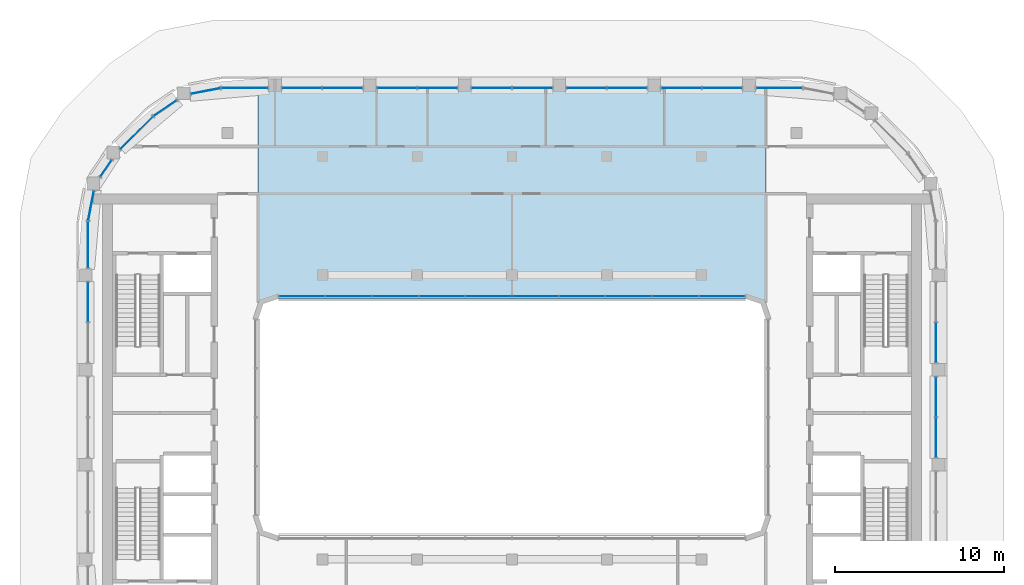
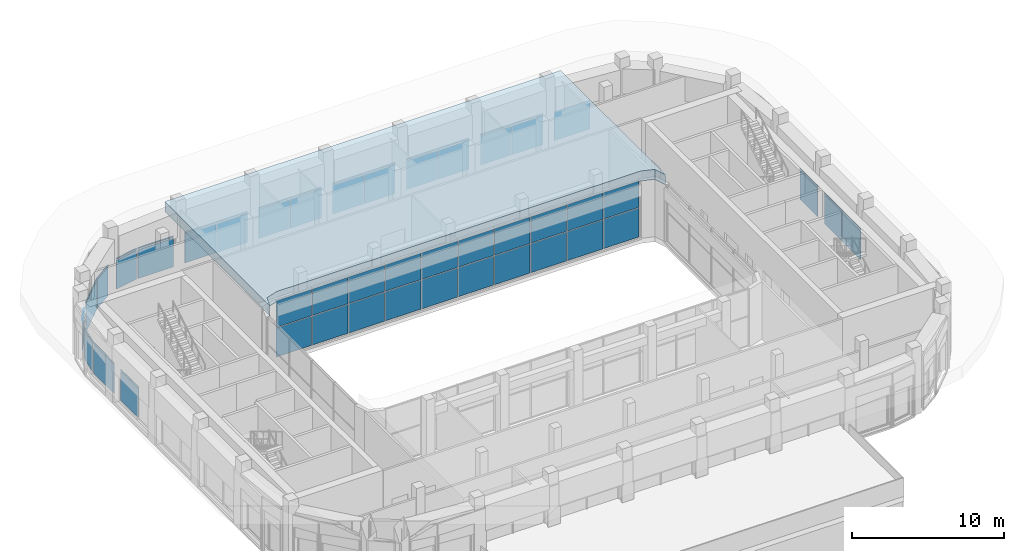
# One storey, part 12 of 23: 63 plates, 1 slab, 17 elements without a shape of their own.
"""IFC4 building model written with IfcOpenShell, lengths in metres."""

from ifc_helpers import new_model, si_unit, direction, frame, origin, origin_2d, place, context, subcontext, project, spatial, polyline, rectangle, outline, extrude, material, layer, layer_set, type_object, element, aggregate, save


model = new_model("IFC4")

# Units and contexts
model_context = context("Model", 3, precision=1e-05, world=origin(), true_north=direction((0.0, 1.0)))
body_context = subcontext(model_context, "Body", "Model", "MODEL_VIEW")
ifc_project = project(units=[si_unit("LENGTHUNIT", "METRE"), si_unit("AREAUNIT", "SQUARE_METRE"), si_unit("VOLUMEUNIT", "CUBIC_METRE"), si_unit("PLANEANGLEUNIT", "RADIAN"), si_unit("MASSUNIT", "GRAM", prefix="KILO")], contexts=[model_context])

# Site, building, storey
site_placement = place(None, origin())
site = spatial("IfcSite", under=ifc_project, at=site_placement, CompositionType="ELEMENT")
building_placement = place(site_placement, origin())
building = spatial("IfcBuilding", under=site, at=building_placement, Name="Kiln Ring Residences", CompositionType="ELEMENT")
storey_placement = place(building_placement, frame((0.0, 0.0, 294.5)))
storey = spatial("IfcBuildingStorey", under=building, at=storey_placement, Name="L76", CompositionType="ELEMENT", Elevation=294.5)

# Curtain wall, plates
ifc_material_1 = material(Name="Aluminium and glass", Category="aluminium")
ifc_layer_1 = layer(ifc_material_1, 0.179931640625)
ifc_layer_set_1 = layer_set([ifc_layer_1], Name="CW3 CURTAIN WALL")
curtain_wall_type_1 = type_object("IfcCurtainWallType", Name="CW3 CURTAIN WALL", PredefinedType="NOTDEFINED", material=ifc_layer_set_1)
placement = place(storey_placement, origin())
curtain_wall_1 = element("IfcCurtainWall", 1, at=placement, inside=storey, type_object=curtain_wall_type_1, Name="Curtain wall CW3 L76", PredefinedType="NOTDEFINED")
ifc_material_2 = material(Name="Glass, clear laminated", Category="glass")
ifc_layer_2 = layer(ifc_material_2, 0.02392578125)
ifc_layer_set_2 = layer_set([ifc_layer_2], Name="CW3 PANEL 24")
plate_type_1 = type_object("IfcPlateType", Name="CW3 PANEL 24", PredefinedType="CURTAIN_PANEL", material=ifc_layer_set_2)
plate_1_placement = place(storey_placement, frame((-12.407470703125, 7.14990234375, 0.0498046875), z_axis=(0.0, 0.0, 1.0), x_axis=(1.0, 0.0, 0.0)))
plate_1 = element("IfcPlate", 2, at=plate_1_placement, type_object=plate_type_1, Name="CW3 panel 1.1", PredefinedType="CURTAIN_PANEL", context=body_context, shape_type="SweptSolid", body=[
    extrude(rectangle(XDim=2.68505859375, YDim=0.02392578125, at=origin_2d()), origin(), (0.0, 0.0, 1.0), 2.324951171875),
])
plate_2_placement = place(storey_placement, frame((-12.407470703125, 7.14990234375, 2.425048828125), z_axis=(0.0, 0.0, 1.0), x_axis=(1.0, 0.0, 0.0)))
plate_2 = element("IfcPlate", 3, at=plate_2_placement, type_object=plate_type_1, Name="CW3 panel 1.2", PredefinedType="CURTAIN_PANEL", context=body_context, shape_type="SweptSolid", body=[
    extrude(rectangle(XDim=2.68505859375, YDim=0.02392578125, at=origin_2d()), origin(), (0.0, 0.0, 1.0), 2.125),
])
plate_3_placement = place(storey_placement, frame((-9.659912109375, 7.14990234375, 0.0498046875), z_axis=(0.0, 0.0, 1.0), x_axis=(1.0, 0.0, 0.0)))
plate_3 = element("IfcPlate", 4, at=plate_3_placement, type_object=plate_type_1, Name="CW3 panel 2.1", PredefinedType="CURTAIN_PANEL", context=body_context, shape_type="SweptSolid", body=[
    extrude(rectangle(XDim=2.7099609375, YDim=0.02392578125, at=origin_2d()), origin(), (0.0, 0.0, 1.0), 2.324951171875),
])
plate_4_placement = place(storey_placement, frame((-9.659912109375, 7.14990234375, 2.425048828125), z_axis=(0.0, 0.0, 1.0), x_axis=(1.0, 0.0, 0.0)))
plate_4 = element("IfcPlate", 5, at=plate_4_placement, type_object=plate_type_1, Name="CW3 panel 2.2", PredefinedType="CURTAIN_PANEL", context=body_context, shape_type="SweptSolid", body=[
    extrude(rectangle(XDim=2.7099609375, YDim=0.02392578125, at=origin_2d()), origin(), (0.0, 0.0, 1.0), 2.125),
])
plate_5_placement = place(storey_placement, frame((-6.89990234375, 7.14990234375, 0.0498046875), z_axis=(0.0, 0.0, 1.0), x_axis=(1.0, 0.0, 0.0)))
plate_5 = element("IfcPlate", 6, at=plate_5_placement, type_object=plate_type_1, Name="CW3 panel 3.1", PredefinedType="CURTAIN_PANEL", context=body_context, shape_type="SweptSolid", body=[
    extrude(rectangle(XDim=2.7099609375, YDim=0.02392578125, at=origin_2d()), origin(), (0.0, 0.0, 1.0), 2.324951171875),
])
plate_6_placement = place(storey_placement, frame((-6.89990234375, 7.14990234375, 2.425048828125), z_axis=(0.0, 0.0, 1.0), x_axis=(1.0, 0.0, 0.0)))
plate_6 = element("IfcPlate", 7, at=plate_6_placement, type_object=plate_type_1, Name="CW3 panel 3.2", PredefinedType="CURTAIN_PANEL", context=body_context, shape_type="SweptSolid", body=[
    extrude(rectangle(XDim=2.7099609375, YDim=0.02392578125, at=origin_2d()), origin(), (0.0, 0.0, 1.0), 2.125),
])
plate_7_placement = place(storey_placement, frame((-4.139892578125, 7.14990234375, 0.0498046875), z_axis=(0.0, 0.0, 1.0), x_axis=(1.0, 0.0, 0.0)))
plate_7 = element("IfcPlate", 8, at=plate_7_placement, type_object=plate_type_1, Name="CW3 panel 4.1", PredefinedType="CURTAIN_PANEL", context=body_context, shape_type="SweptSolid", body=[
    extrude(rectangle(XDim=2.7099609375, YDim=0.02392578125, at=origin_2d()), origin(), (0.0, 0.0, 1.0), 2.324951171875),
])
plate_8_placement = place(storey_placement, frame((-4.139892578125, 7.14990234375, 2.425048828125), z_axis=(0.0, 0.0, 1.0), x_axis=(1.0, 0.0, 0.0)))
plate_8 = element("IfcPlate", 9, at=plate_8_placement, type_object=plate_type_1, Name="CW3 panel 4.2", PredefinedType="CURTAIN_PANEL", context=body_context, shape_type="SweptSolid", body=[
    extrude(rectangle(XDim=2.7099609375, YDim=0.02392578125, at=origin_2d()), origin(), (0.0, 0.0, 1.0), 2.125),
])
plate_9_placement = place(storey_placement, frame((-1.3798828125, 7.14990234375, 0.0498046875), z_axis=(0.0, 0.0, 1.0), x_axis=(1.0, 0.0, 0.0)))
plate_9 = element("IfcPlate", 10, at=plate_9_placement, type_object=plate_type_1, Name="CW3 panel 5.1", PredefinedType="CURTAIN_PANEL", context=body_context, shape_type="SweptSolid", body=[
    extrude(rectangle(XDim=2.7099609375, YDim=0.02392578125, at=origin_2d()), origin(), (0.0, 0.0, 1.0), 2.324951171875),
])
plate_10_placement = place(storey_placement, frame((-1.3798828125, 7.14990234375, 2.425048828125), z_axis=(0.0, 0.0, 1.0), x_axis=(1.0, 0.0, 0.0)))
plate_10 = element("IfcPlate", 11, at=plate_10_placement, type_object=plate_type_1, Name="CW3 panel 5.2", PredefinedType="CURTAIN_PANEL", context=body_context, shape_type="SweptSolid", body=[
    extrude(rectangle(XDim=2.7099609375, YDim=0.02392578125, at=origin_2d()), origin(), (0.0, 0.0, 1.0), 2.125),
])
plate_11_placement = place(storey_placement, frame((1.3798828125, 7.14990234375, 0.0498046875), z_axis=(0.0, 0.0, 1.0), x_axis=(1.0, 0.0, 0.0)))
plate_11 = element("IfcPlate", 12, at=plate_11_placement, type_object=plate_type_1, Name="CW3 panel 6.1", PredefinedType="CURTAIN_PANEL", context=body_context, shape_type="SweptSolid", body=[
    extrude(rectangle(XDim=2.7099609375, YDim=0.02392578125, at=origin_2d()), origin(), (0.0, 0.0, 1.0), 2.324951171875),
])
plate_12_placement = place(storey_placement, frame((1.3798828125, 7.14990234375, 2.425048828125), z_axis=(0.0, 0.0, 1.0), x_axis=(1.0, 0.0, 0.0)))
plate_12 = element("IfcPlate", 13, at=plate_12_placement, type_object=plate_type_1, Name="CW3 panel 6.2", PredefinedType="CURTAIN_PANEL", context=body_context, shape_type="SweptSolid", body=[
    extrude(rectangle(XDim=2.7099609375, YDim=0.02392578125, at=origin_2d()), origin(), (0.0, 0.0, 1.0), 2.125),
])
plate_13_placement = place(storey_placement, frame((4.139892578125, 7.14990234375, 0.0498046875), z_axis=(0.0, 0.0, 1.0), x_axis=(1.0, 0.0, 0.0)))
plate_13 = element("IfcPlate", 14, at=plate_13_placement, type_object=plate_type_1, Name="CW3 panel 7.1", PredefinedType="CURTAIN_PANEL", context=body_context, shape_type="SweptSolid", body=[
    extrude(rectangle(XDim=2.7099609375, YDim=0.02392578125, at=origin_2d()), origin(), (0.0, 0.0, 1.0), 2.324951171875),
])
plate_14_placement = place(storey_placement, frame((4.139892578125, 7.14990234375, 2.425048828125), z_axis=(0.0, 0.0, 1.0), x_axis=(1.0, 0.0, 0.0)))
plate_14 = element("IfcPlate", 15, at=plate_14_placement, type_object=plate_type_1, Name="CW3 panel 7.2", PredefinedType="CURTAIN_PANEL", context=body_context, shape_type="SweptSolid", body=[
    extrude(rectangle(XDim=2.7099609375, YDim=0.02392578125, at=origin_2d()), origin(), (0.0, 0.0, 1.0), 2.125),
])
plate_15_placement = place(storey_placement, frame((6.89990234375, 7.14990234375, 0.0498046875), z_axis=(0.0, 0.0, 1.0), x_axis=(1.0, 0.0, 0.0)))
plate_15 = element("IfcPlate", 16, at=plate_15_placement, type_object=plate_type_1, Name="CW3 panel 8.1", PredefinedType="CURTAIN_PANEL", context=body_context, shape_type="SweptSolid", body=[
    extrude(rectangle(XDim=2.7099609375, YDim=0.02392578125, at=origin_2d()), origin(), (0.0, 0.0, 1.0), 2.324951171875),
])
plate_16_placement = place(storey_placement, frame((6.89990234375, 7.14990234375, 2.425048828125), z_axis=(0.0, 0.0, 1.0), x_axis=(1.0, 0.0, 0.0)))
plate_16 = element("IfcPlate", 17, at=plate_16_placement, type_object=plate_type_1, Name="CW3 panel 8.2", PredefinedType="CURTAIN_PANEL", context=body_context, shape_type="SweptSolid", body=[
    extrude(rectangle(XDim=2.7099609375, YDim=0.02392578125, at=origin_2d()), origin(), (0.0, 0.0, 1.0), 2.125),
])
plate_17_placement = place(storey_placement, frame((9.659912109375, 7.14990234375, 0.0498046875), z_axis=(0.0, 0.0, 1.0), x_axis=(1.0, 0.0, 0.0)))
plate_17 = element("IfcPlate", 18, at=plate_17_placement, type_object=plate_type_1, Name="CW3 panel 9.1", PredefinedType="CURTAIN_PANEL", context=body_context, shape_type="SweptSolid", body=[
    extrude(rectangle(XDim=2.7099609375, YDim=0.02392578125, at=origin_2d()), origin(), (0.0, 0.0, 1.0), 2.324951171875),
])
plate_18_placement = place(storey_placement, frame((9.659912109375, 7.14990234375, 2.425048828125), z_axis=(0.0, 0.0, 1.0), x_axis=(1.0, 0.0, 0.0)))
plate_18 = element("IfcPlate", 19, at=plate_18_placement, type_object=plate_type_1, Name="CW3 panel 9.2", PredefinedType="CURTAIN_PANEL", context=body_context, shape_type="SweptSolid", body=[
    extrude(rectangle(XDim=2.7099609375, YDim=0.02392578125, at=origin_2d()), origin(), (0.0, 0.0, 1.0), 2.125),
])
plate_19_placement = place(storey_placement, frame((12.407470703125, 7.14990234375, 0.0498046875), z_axis=(0.0, 0.0, 1.0), x_axis=(1.0, 0.0, 0.0)))
plate_19 = element("IfcPlate", 20, at=plate_19_placement, type_object=plate_type_1, Name="CW3 panel 10.1", PredefinedType="CURTAIN_PANEL", context=body_context, shape_type="SweptSolid", body=[
    extrude(rectangle(XDim=2.68505859375, YDim=0.02392578125, at=origin_2d()), origin(), (0.0, 0.0, 1.0), 2.324951171875),
])
plate_20_placement = place(storey_placement, frame((12.407470703125, 7.14990234375, 2.425048828125), z_axis=(0.0, 0.0, 1.0), x_axis=(1.0, 0.0, 0.0)))
plate_20 = element("IfcPlate", 21, at=plate_20_placement, type_object=plate_type_1, Name="CW3 panel 10.2", PredefinedType="CURTAIN_PANEL", context=body_context, shape_type="SweptSolid", body=[
    extrude(rectangle(XDim=2.68505859375, YDim=0.02392578125, at=origin_2d()), origin(), (0.0, 0.0, 1.0), 2.125),
])
aggregate(curtain_wall_1, [plate_1, plate_2, plate_3, plate_4, plate_5, plate_6, plate_7, plate_8, plate_9, plate_10, plate_11, plate_12, plate_13, plate_14, plate_15, plate_16, plate_17, plate_18, plate_19, plate_20])

ifc_material_3 = material(Name="Aluminium and glass", Category="aluminium")
ifc_layer_3 = layer(ifc_material_3, 0.219970703125)
ifc_layer_set_3 = layer_set([ifc_layer_3], Name="CW5 CURTAIN WALL")
curtain_wall_type_2 = type_object("IfcCurtainWallType", Name="CW5 CURTAIN WALL", PredefinedType="NOTDEFINED", material=ifc_layer_set_3)
curtain_wall_2 = element("IfcCurtainWall", 22, at=placement, inside=storey, type_object=curtain_wall_type_2, Name="Curtain wall CW5 L76", PredefinedType="NOTDEFINED")
ifc_material_4 = material(Name="Glass, low-e laminated", Category="glass")
ifc_layer_4 = layer(ifc_material_4, 0.031982421875)
ifc_layer_set_4 = layer_set([ifc_layer_4], Name="CW5 PANEL 32")
plate_type_2 = type_object("IfcPlateType", Name="CW5 PANEL 32", PredefinedType="CURTAIN_PANEL", material=ifc_layer_set_4)
plate_21_placement = place(storey_placement, frame((25.050048828125, -1.197509765625, 0.06005859375), z_axis=(0.0, 0.0, 1.0), x_axis=(0.0, 1.0, 0.0)))
plate_21 = element("IfcPlate", 23, at=plate_21_placement, type_object=plate_type_2, Name="CW5 panel 1.1", PredefinedType="CURTAIN_PANEL", context=body_context, shape_type="SweptSolid", body=[
    extrude(rectangle(XDim=2.3349609375, YDim=0.031982421875, at=origin_2d()), origin(), (0.0, 0.0, 1.0), 2.31005859375),
])
plate_22_placement = place(storey_placement, frame((25.050048828125, -1.197509765625, 2.43017578125), z_axis=(0.0, 0.0, 1.0), x_axis=(0.0, 1.0, 0.0)))
plate_22 = element("IfcPlate", 24, at=plate_22_placement, type_object=plate_type_2, Name="CW5 panel 1.2", PredefinedType="CURTAIN_PANEL", context=body_context, shape_type="SweptSolid", body=[
    extrude(rectangle(XDim=2.3349609375, YDim=0.031982421875, at=origin_2d()), origin(), (0.0, 0.0, 1.0), 0.110107421875),
])
plate_23_placement = place(storey_placement, frame((25.050048828125, 1.197509765625, 0.06005859375), z_axis=(0.0, 0.0, 1.0), x_axis=(0.0, 1.0, 0.0)))
plate_23 = element("IfcPlate", 25, at=plate_23_placement, type_object=plate_type_2, Name="CW5 panel 2.1", PredefinedType="CURTAIN_PANEL", context=body_context, shape_type="SweptSolid", body=[
    extrude(rectangle(XDim=2.3349609375, YDim=0.031982421875, at=origin_2d()), origin(), (0.0, 0.0, 1.0), 2.31005859375),
])
plate_24_placement = place(storey_placement, frame((25.050048828125, 1.197509765625, 2.43017578125), z_axis=(0.0, 0.0, 1.0), x_axis=(0.0, 1.0, 0.0)))
plate_24 = element("IfcPlate", 26, at=plate_24_placement, type_object=plate_type_2, Name="CW5 panel 2.2", PredefinedType="CURTAIN_PANEL", context=body_context, shape_type="SweptSolid", body=[
    extrude(rectangle(XDim=2.3349609375, YDim=0.031982421875, at=origin_2d()), origin(), (0.0, 0.0, 1.0), 0.110107421875),
])
aggregate(curtain_wall_2, [plate_21, plate_22, plate_23, plate_24])

curtain_wall_3 = element("IfcCurtainWall", 27, at=placement, inside=storey, type_object=curtain_wall_type_2, Name="Curtain wall CW5 L76", PredefinedType="NOTDEFINED")
plate_25_placement = place(storey_placement, frame((25.050048828125, 4.402587890625, 0.06005859375), z_axis=(0.0, 0.0, 1.0), x_axis=(0.0, 1.0, 0.0)))
plate_25 = element("IfcPlate", 28, at=plate_25_placement, type_object=plate_type_2, Name="CW5 panel 1.1", PredefinedType="CURTAIN_PANEL", context=body_context, shape_type="SweptSolid", body=[
    extrude(rectangle(XDim=2.3349609375, YDim=0.031982421875, at=origin_2d()), origin(), (0.0, 0.0, 1.0), 2.31005859375),
])
plate_26_placement = place(storey_placement, frame((25.050048828125, 4.402587890625, 2.43017578125), z_axis=(0.0, 0.0, 1.0), x_axis=(0.0, 1.0, 0.0)))
plate_26 = element("IfcPlate", 29, at=plate_26_placement, type_object=plate_type_2, Name="CW5 panel 1.2", PredefinedType="CURTAIN_PANEL", context=body_context, shape_type="SweptSolid", body=[
    extrude(rectangle(XDim=2.3349609375, YDim=0.031982421875, at=origin_2d()), origin(), (0.0, 0.0, 1.0), 0.110107421875),
])
aggregate(curtain_wall_3, [plate_25, plate_26])

# Curtain wall, plate
curtain_wall_4 = element("IfcCurtainWall", 30, at=placement, inside=storey, type_object=curtain_wall_type_2, Name="Curtain wall CW5 L76", PredefinedType="NOTDEFINED")
plate_27_placement = place(storey_placement, frame((15.78759765625, 19.449951171875, 0.06005859375), z_axis=(0.0, 0.0, 1.0), x_axis=(-1.0, 0.0, 0.0)))
plate_27 = element("IfcPlate", 31, at=plate_27_placement, type_object=plate_type_2, Name="CW5 panel 1.1", PredefinedType="CURTAIN_PANEL", context=body_context, shape_type="SweptSolid", body=[
    extrude(rectangle(XDim=2.705078125, YDim=0.031982421875, at=origin_2d()), origin(), (0.0, 0.0, 1.0), 2.31005859375),
])
aggregate(curtain_wall_4, [plate_27])

# Curtain wall, plates
curtain_wall_5 = element("IfcCurtainWall", 32, at=placement, inside=storey, type_object=curtain_wall_type_2, Name="Curtain wall CW5 L76", PredefinedType="NOTDEFINED")
plate_28_placement = place(storey_placement, frame((12.3974609375, 19.449951171875, 0.06005859375), z_axis=(0.0, 0.0, 1.0), x_axis=(-1.0, 0.0, 0.0)))
plate_28 = element("IfcPlate", 33, at=plate_28_placement, type_object=plate_type_2, Name="CW5 panel 1.1", PredefinedType="CURTAIN_PANEL", context=body_context, shape_type="SweptSolid", body=[
    extrude(rectangle(XDim=2.3349609375, YDim=0.031982421875, at=origin_2d()), origin(), (0.0, 0.0, 1.0), 2.31005859375),
])
plate_29_placement = place(storey_placement, frame((12.3974609375, 19.449951171875, 2.43017578125), z_axis=(0.0, 0.0, 1.0), x_axis=(-1.0, 0.0, 0.0)))
plate_29 = element("IfcPlate", 34, at=plate_29_placement, type_object=plate_type_2, Name="CW5 panel 1.2", PredefinedType="CURTAIN_PANEL", context=body_context, shape_type="SweptSolid", body=[
    extrude(rectangle(XDim=2.3349609375, YDim=0.031982421875, at=origin_2d()), origin(), (0.0, 0.0, 1.0), 0.110107421875),
])
plate_30_placement = place(storey_placement, frame((10.00244140625, 19.449951171875, 0.06005859375), z_axis=(0.0, 0.0, 1.0), x_axis=(-1.0, 0.0, 0.0)))
plate_30 = element("IfcPlate", 35, at=plate_30_placement, type_object=plate_type_2, Name="CW5 panel 2.1", PredefinedType="CURTAIN_PANEL", context=body_context, shape_type="SweptSolid", body=[
    extrude(rectangle(XDim=2.3349609375, YDim=0.031982421875, at=origin_2d()), origin(), (0.0, 0.0, 1.0), 2.31005859375),
])
plate_31_placement = place(storey_placement, frame((10.00244140625, 19.449951171875, 2.43017578125), z_axis=(0.0, 0.0, 1.0), x_axis=(-1.0, 0.0, 0.0)))
plate_31 = element("IfcPlate", 36, at=plate_31_placement, type_object=plate_type_2, Name="CW5 panel 2.2", PredefinedType="CURTAIN_PANEL", context=body_context, shape_type="SweptSolid", body=[
    extrude(rectangle(XDim=2.3349609375, YDim=0.031982421875, at=origin_2d()), origin(), (0.0, 0.0, 1.0), 0.110107421875),
])
aggregate(curtain_wall_5, [plate_28, plate_29, plate_30, plate_31])

curtain_wall_6 = element("IfcCurtainWall", 37, at=placement, inside=storey, type_object=curtain_wall_type_2, Name="Curtain wall CW5 L76", PredefinedType="NOTDEFINED")
plate_32_placement = place(storey_placement, frame((6.797607421875, 19.449951171875, 0.06005859375), z_axis=(0.0, 0.0, 1.0), x_axis=(-1.0, 0.0, 0.0)))
plate_32 = element("IfcPlate", 38, at=plate_32_placement, type_object=plate_type_2, Name="CW5 panel 1.1", PredefinedType="CURTAIN_PANEL", context=body_context, shape_type="SweptSolid", body=[
    extrude(rectangle(XDim=2.3349609375, YDim=0.031982421875, at=origin_2d()), origin(), (0.0, 0.0, 1.0), 2.31005859375),
])
plate_33_placement = place(storey_placement, frame((6.797607421875, 19.449951171875, 2.43017578125), z_axis=(0.0, 0.0, 1.0), x_axis=(-1.0, 0.0, 0.0)))
plate_33 = element("IfcPlate", 39, at=plate_33_placement, type_object=plate_type_2, Name="CW5 panel 1.2", PredefinedType="CURTAIN_PANEL", context=body_context, shape_type="SweptSolid", body=[
    extrude(rectangle(XDim=2.3349609375, YDim=0.031982421875, at=origin_2d()), origin(), (0.0, 0.0, 1.0), 0.110107421875),
])
plate_34_placement = place(storey_placement, frame((4.402587890625, 19.449951171875, 0.06005859375), z_axis=(0.0, 0.0, 1.0), x_axis=(-1.0, 0.0, 0.0)))
plate_34 = element("IfcPlate", 40, at=plate_34_placement, type_object=plate_type_2, Name="CW5 panel 2.1", PredefinedType="CURTAIN_PANEL", context=body_context, shape_type="SweptSolid", body=[
    extrude(rectangle(XDim=2.3349609375, YDim=0.031982421875, at=origin_2d()), origin(), (0.0, 0.0, 1.0), 2.31005859375),
])
plate_35_placement = place(storey_placement, frame((4.402587890625, 19.449951171875, 2.43017578125), z_axis=(0.0, 0.0, 1.0), x_axis=(-1.0, 0.0, 0.0)))
plate_35 = element("IfcPlate", 41, at=plate_35_placement, type_object=plate_type_2, Name="CW5 panel 2.2", PredefinedType="CURTAIN_PANEL", context=body_context, shape_type="SweptSolid", body=[
    extrude(rectangle(XDim=2.3349609375, YDim=0.031982421875, at=origin_2d()), origin(), (0.0, 0.0, 1.0), 0.110107421875),
])
aggregate(curtain_wall_6, [plate_32, plate_33, plate_34, plate_35])

curtain_wall_7 = element("IfcCurtainWall", 42, at=placement, inside=storey, type_object=curtain_wall_type_2, Name="Curtain wall CW5 L76", PredefinedType="NOTDEFINED")
plate_36_placement = place(storey_placement, frame((1.197509765625, 19.449951171875, 0.06005859375), z_axis=(0.0, 0.0, 1.0), x_axis=(-1.0, 0.0, 0.0)))
plate_36 = element("IfcPlate", 43, at=plate_36_placement, type_object=plate_type_2, Name="CW5 panel 1.1", PredefinedType="CURTAIN_PANEL", context=body_context, shape_type="SweptSolid", body=[
    extrude(rectangle(XDim=2.3349609375, YDim=0.031982421875, at=origin_2d()), origin(), (0.0, 0.0, 1.0), 2.31005859375),
])
plate_37_placement = place(storey_placement, frame((1.197509765625, 19.449951171875, 2.43017578125), z_axis=(0.0, 0.0, 1.0), x_axis=(-1.0, 0.0, 0.0)))
plate_37 = element("IfcPlate", 44, at=plate_37_placement, type_object=plate_type_2, Name="CW5 panel 1.2", PredefinedType="CURTAIN_PANEL", context=body_context, shape_type="SweptSolid", body=[
    extrude(rectangle(XDim=2.3349609375, YDim=0.031982421875, at=origin_2d()), origin(), (0.0, 0.0, 1.0), 0.110107421875),
])
plate_38_placement = place(storey_placement, frame((-1.197509765625, 19.449951171875, 0.06005859375), z_axis=(0.0, 0.0, 1.0), x_axis=(-1.0, 0.0, 0.0)))
plate_38 = element("IfcPlate", 45, at=plate_38_placement, type_object=plate_type_2, Name="CW5 panel 2.1", PredefinedType="CURTAIN_PANEL", context=body_context, shape_type="SweptSolid", body=[
    extrude(rectangle(XDim=2.3349609375, YDim=0.031982421875, at=origin_2d()), origin(), (0.0, 0.0, 1.0), 2.31005859375),
])
plate_39_placement = place(storey_placement, frame((-1.197509765625, 19.449951171875, 2.43017578125), z_axis=(0.0, 0.0, 1.0), x_axis=(-1.0, 0.0, 0.0)))
plate_39 = element("IfcPlate", 46, at=plate_39_placement, type_object=plate_type_2, Name="CW5 panel 2.2", PredefinedType="CURTAIN_PANEL", context=body_context, shape_type="SweptSolid", body=[
    extrude(rectangle(XDim=2.3349609375, YDim=0.031982421875, at=origin_2d()), origin(), (0.0, 0.0, 1.0), 0.110107421875),
])
aggregate(curtain_wall_7, [plate_36, plate_37, plate_38, plate_39])

curtain_wall_8 = element("IfcCurtainWall", 47, at=placement, inside=storey, type_object=curtain_wall_type_2, Name="Curtain wall CW5 L76", PredefinedType="NOTDEFINED")
plate_40_placement = place(storey_placement, frame((-4.402587890625, 19.449951171875, 0.06005859375), z_axis=(0.0, 0.0, 1.0), x_axis=(-1.0, 0.0, 0.0)))
plate_40 = element("IfcPlate", 48, at=plate_40_placement, type_object=plate_type_2, Name="CW5 panel 1.1", PredefinedType="CURTAIN_PANEL", context=body_context, shape_type="SweptSolid", body=[
    extrude(rectangle(XDim=2.3349609375, YDim=0.031982421875, at=origin_2d()), origin(), (0.0, 0.0, 1.0), 2.31005859375),
])
plate_41_placement = place(storey_placement, frame((-4.402587890625, 19.449951171875, 2.43017578125), z_axis=(0.0, 0.0, 1.0), x_axis=(-1.0, 0.0, 0.0)))
plate_41 = element("IfcPlate", 49, at=plate_41_placement, type_object=plate_type_2, Name="CW5 panel 1.2", PredefinedType="CURTAIN_PANEL", context=body_context, shape_type="SweptSolid", body=[
    extrude(rectangle(XDim=2.3349609375, YDim=0.031982421875, at=origin_2d()), origin(), (0.0, 0.0, 1.0), 0.110107421875),
])
plate_42_placement = place(storey_placement, frame((-6.797607421875, 19.449951171875, 0.06005859375), z_axis=(0.0, 0.0, 1.0), x_axis=(-1.0, 0.0, 0.0)))
plate_42 = element("IfcPlate", 50, at=plate_42_placement, type_object=plate_type_2, Name="CW5 panel 2.1", PredefinedType="CURTAIN_PANEL", context=body_context, shape_type="SweptSolid", body=[
    extrude(rectangle(XDim=2.3349609375, YDim=0.031982421875, at=origin_2d()), origin(), (0.0, 0.0, 1.0), 2.31005859375),
])
plate_43_placement = place(storey_placement, frame((-6.797607421875, 19.449951171875, 2.43017578125), z_axis=(0.0, 0.0, 1.0), x_axis=(-1.0, 0.0, 0.0)))
plate_43 = element("IfcPlate", 51, at=plate_43_placement, type_object=plate_type_2, Name="CW5 panel 2.2", PredefinedType="CURTAIN_PANEL", context=body_context, shape_type="SweptSolid", body=[
    extrude(rectangle(XDim=2.3349609375, YDim=0.031982421875, at=origin_2d()), origin(), (0.0, 0.0, 1.0), 0.110107421875),
])
aggregate(curtain_wall_8, [plate_40, plate_41, plate_42, plate_43])

curtain_wall_9 = element("IfcCurtainWall", 52, at=placement, inside=storey, type_object=curtain_wall_type_2, Name="Curtain wall CW5 L76", PredefinedType="NOTDEFINED")
plate_44_placement = place(storey_placement, frame((-10.00244140625, 19.449951171875, 0.06005859375), z_axis=(0.0, 0.0, 1.0), x_axis=(-1.0, 0.0, 0.0)))
plate_44 = element("IfcPlate", 53, at=plate_44_placement, type_object=plate_type_2, Name="CW5 panel 1.1", PredefinedType="CURTAIN_PANEL", context=body_context, shape_type="SweptSolid", body=[
    extrude(rectangle(XDim=2.3349609375, YDim=0.031982421875, at=origin_2d()), origin(), (0.0, 0.0, 1.0), 2.31005859375),
])
plate_45_placement = place(storey_placement, frame((-10.00244140625, 19.449951171875, 2.43017578125), z_axis=(0.0, 0.0, 1.0), x_axis=(-1.0, 0.0, 0.0)))
plate_45 = element("IfcPlate", 54, at=plate_45_placement, type_object=plate_type_2, Name="CW5 panel 1.2", PredefinedType="CURTAIN_PANEL", context=body_context, shape_type="SweptSolid", body=[
    extrude(rectangle(XDim=2.3349609375, YDim=0.031982421875, at=origin_2d()), origin(), (0.0, 0.0, 1.0), 0.110107421875),
])
plate_46_placement = place(storey_placement, frame((-12.3974609375, 19.449951171875, 0.06005859375), z_axis=(0.0, 0.0, 1.0), x_axis=(-1.0, 0.0, 0.0)))
plate_46 = element("IfcPlate", 55, at=plate_46_placement, type_object=plate_type_2, Name="CW5 panel 2.1", PredefinedType="CURTAIN_PANEL", context=body_context, shape_type="SweptSolid", body=[
    extrude(rectangle(XDim=2.3349609375, YDim=0.031982421875, at=origin_2d()), origin(), (0.0, 0.0, 1.0), 2.31005859375),
])
plate_47_placement = place(storey_placement, frame((-12.3974609375, 19.449951171875, 2.43017578125), z_axis=(0.0, 0.0, 1.0), x_axis=(-1.0, 0.0, 0.0)))
plate_47 = element("IfcPlate", 56, at=plate_47_placement, type_object=plate_type_2, Name="CW5 panel 2.2", PredefinedType="CURTAIN_PANEL", context=body_context, shape_type="SweptSolid", body=[
    extrude(rectangle(XDim=2.3349609375, YDim=0.031982421875, at=origin_2d()), origin(), (0.0, 0.0, 1.0), 0.110107421875),
])
aggregate(curtain_wall_9, [plate_44, plate_45, plate_46, plate_47])

curtain_wall_10 = element("IfcCurtainWall", 57, at=placement, inside=storey, type_object=curtain_wall_type_2, Name="Curtain wall CW5 L76", PredefinedType="NOTDEFINED")
plate_48_placement = place(storey_placement, frame((-15.78759765625, 19.449951171875, 0.06005859375), z_axis=(0.0, 0.0, 1.0), x_axis=(-1.0, 0.0, 0.0)))
plate_48 = element("IfcPlate", 58, at=plate_48_placement, type_object=plate_type_2, Name="CW5 panel 1.1", PredefinedType="CURTAIN_PANEL", context=body_context, shape_type="SweptSolid", body=[
    extrude(rectangle(XDim=2.705078125, YDim=0.031982421875, at=origin_2d()), origin(), (0.0, 0.0, 1.0), 2.31005859375),
])
plate_49_placement = place(storey_placement, frame((-15.78759765625, 19.449951171875, 2.43017578125), z_axis=(0.0, 0.0, 1.0), x_axis=(-1.0, 0.0, 0.0)))
plate_49 = element("IfcPlate", 59, at=plate_49_placement, type_object=plate_type_2, Name="CW5 panel 1.2", PredefinedType="CURTAIN_PANEL", context=body_context, shape_type="SweptSolid", body=[
    extrude(rectangle(XDim=2.705078125, YDim=0.031982421875, at=origin_2d()), origin(), (0.0, 0.0, 1.0), 0.110107421875),
])
aggregate(curtain_wall_10, [plate_48, plate_49])

curtain_wall_11 = element("IfcCurtainWall", 60, at=placement, inside=storey, type_object=curtain_wall_type_2, Name="Curtain wall CW5 L76", PredefinedType="NOTDEFINED")
plate_50_placement = place(storey_placement, frame((-18.095703125, 19.2763671875, 0.06005859375), z_axis=(0.0, 0.0, 1.0), x_axis=(-0.982290257784, -0.187365550364, 0.0)))
plate_50 = element("IfcPlate", 61, at=plate_50_placement, type_object=plate_type_2, Name="CW5 panel 1.1", PredefinedType="CURTAIN_PANEL", context=body_context, shape_type="SweptSolid", body=[
    extrude(rectangle(XDim=1.76123046875, YDim=0.031982421875, at=origin_2d()), origin(), (0.0, 0.0, 1.0), 2.31005859375),
])
plate_51_placement = place(storey_placement, frame((-18.095703125, 19.2763671875, 2.43017578125), z_axis=(0.0, 0.0, 1.0), x_axis=(-0.982290257784, -0.187365550364, 0.0)))
plate_51 = element("IfcPlate", 62, at=plate_51_placement, type_object=plate_type_2, Name="CW5 panel 1.2", PredefinedType="CURTAIN_PANEL", context=body_context, shape_type="SweptSolid", body=[
    extrude(rectangle(XDim=1.76123046875, YDim=0.031982421875, at=origin_2d()), origin(), (0.0, 0.0, 1.0), 0.110107421875),
])
aggregate(curtain_wall_11, [plate_50, plate_51])

curtain_wall_12 = element("IfcCurtainWall", 63, at=placement, inside=storey, type_object=curtain_wall_type_2, Name="Curtain wall CW5 L76", PredefinedType="NOTDEFINED")
plate_52_placement = place(storey_placement, frame((-20.48876953125, 18.27099609375, 0.06005859375), z_axis=(0.0, 0.0, 1.0), x_axis=(-0.827071553606, -0.562096651134, 0.0)))
plate_52 = element("IfcPlate", 64, at=plate_52_placement, type_object=plate_type_2, Name="CW5 panel 1.1", PredefinedType="CURTAIN_PANEL", context=body_context, shape_type="SweptSolid", body=[
    extrude(rectangle(XDim=1.630859375, YDim=0.031982421875, at=origin_2d()), origin(), (0.0, 0.0, 1.0), 2.31005859375),
])
plate_53_placement = place(storey_placement, frame((-20.48876953125, 18.27099609375, 2.43017578125), z_axis=(0.0, 0.0, 1.0), x_axis=(-0.827071553606, -0.562096651134, 0.0)))
plate_53 = element("IfcPlate", 65, at=plate_53_placement, type_object=plate_type_2, Name="CW5 panel 1.2", PredefinedType="CURTAIN_PANEL", context=body_context, shape_type="SweptSolid", body=[
    extrude(rectangle(XDim=1.630859375, YDim=0.031982421875, at=origin_2d()), origin(), (0.0, 0.0, 1.0), 0.110107421875),
])
aggregate(curtain_wall_12, [plate_52, plate_53])

curtain_wall_13 = element("IfcCurtainWall", 66, at=placement, inside=storey, type_object=curtain_wall_type_2, Name="Curtain wall CW5 L76", PredefinedType="NOTDEFINED")
plate_54_placement = place(storey_placement, frame((-22.18798828125, 16.800048828125, 0.06005859375), z_axis=(0.0, 0.0, 1.0), x_axis=(-0.707106781187, -0.707106781187, 0.0)))
plate_54 = element("IfcPlate", 67, at=plate_54_placement, type_object=plate_type_2, Name="CW5 panel 1.1", PredefinedType="CURTAIN_PANEL", context=body_context, shape_type="SweptSolid", body=[
    extrude(rectangle(XDim=2.69970703125, YDim=0.031982421875, at=origin_2d()), origin(), (0.0, 0.0, 1.0), 2.31005859375),
])
plate_55_placement = place(storey_placement, frame((-22.18798828125, 16.800048828125, 2.43017578125), z_axis=(0.0, 0.0, 1.0), x_axis=(-0.707106781187, -0.707106781187, 0.0)))
plate_55 = element("IfcPlate", 68, at=plate_55_placement, type_object=plate_type_2, Name="CW5 panel 1.2", PredefinedType="CURTAIN_PANEL", context=body_context, shape_type="SweptSolid", body=[
    extrude(rectangle(XDim=2.69970703125, YDim=0.031982421875, at=origin_2d()), origin(), (0.0, 0.0, 1.0), 0.110107421875),
])
aggregate(curtain_wall_13, [plate_54, plate_55])

curtain_wall_14 = element("IfcCurtainWall", 69, at=placement, inside=storey, type_object=curtain_wall_type_2, Name="Curtain wall CW5 L76", PredefinedType="NOTDEFINED")
plate_56_placement = place(storey_placement, frame((-23.99853515625, 14.700927734375, 0.06005859375), z_axis=(0.0, 0.0, 1.0), x_axis=(-0.562096651033, -0.827071553674, 0.0)))
plate_56 = element("IfcPlate", 70, at=plate_56_placement, type_object=plate_type_2, Name="CW5 panel 1.1", PredefinedType="CURTAIN_PANEL", context=body_context, shape_type="SweptSolid", body=[
    extrude(rectangle(XDim=1.177001953125, YDim=0.031982421875, at=origin_2d()), origin(), (0.0, 0.0, 1.0), 2.31005859375),
])
plate_57_placement = place(storey_placement, frame((-23.99853515625, 14.700927734375, 2.43017578125), z_axis=(0.0, 0.0, 1.0), x_axis=(-0.562096651033, -0.827071553674, 0.0)))
plate_57 = element("IfcPlate", 71, at=plate_57_placement, type_object=plate_type_2, Name="CW5 panel 1.2", PredefinedType="CURTAIN_PANEL", context=body_context, shape_type="SweptSolid", body=[
    extrude(rectangle(XDim=1.177001953125, YDim=0.031982421875, at=origin_2d()), origin(), (0.0, 0.0, 1.0), 0.110107421875),
])
aggregate(curtain_wall_14, [plate_56, plate_57])

curtain_wall_15 = element("IfcCurtainWall", 72, at=placement, inside=storey, type_object=curtain_wall_type_2, Name="Curtain wall CW5 L76", PredefinedType="NOTDEFINED")
plate_58_placement = place(storey_placement, frame((-24.87646484375, 12.495849609375, 0.06005859375), z_axis=(0.0, 0.0, 1.0), x_axis=(-0.187365550364, -0.982290257784, 0.0)))
plate_58 = element("IfcPlate", 73, at=plate_58_placement, type_object=plate_type_2, Name="CW5 panel 1.1", PredefinedType="CURTAIN_PANEL", context=body_context, shape_type="SweptSolid", body=[
    extrude(rectangle(XDim=1.76123046875, YDim=0.031982421875, at=origin_2d()), origin(), (0.0, 0.0, 1.0), 2.31005859375),
])
plate_59_placement = place(storey_placement, frame((-24.87646484375, 12.495849609375, 2.43017578125), z_axis=(0.0, 0.0, 1.0), x_axis=(-0.187365550364, -0.982290257784, 0.0)))
plate_59 = element("IfcPlate", 74, at=plate_59_placement, type_object=plate_type_2, Name="CW5 panel 1.2", PredefinedType="CURTAIN_PANEL", context=body_context, shape_type="SweptSolid", body=[
    extrude(rectangle(XDim=1.76123046875, YDim=0.031982421875, at=origin_2d()), origin(), (0.0, 0.0, 1.0), 0.110107421875),
])
aggregate(curtain_wall_15, [plate_58, plate_59])

curtain_wall_16 = element("IfcCurtainWall", 75, at=placement, inside=storey, type_object=curtain_wall_type_2, Name="Curtain wall CW5 L76", PredefinedType="NOTDEFINED")
plate_60_placement = place(storey_placement, frame((-25.050048828125, 10.1875, 0.06005859375), z_axis=(0.0, 0.0, 1.0), x_axis=(0.0, -1.0, 0.0)))
plate_60 = element("IfcPlate", 76, at=plate_60_placement, type_object=plate_type_2, Name="CW5 panel 1.1", PredefinedType="CURTAIN_PANEL", context=body_context, shape_type="SweptSolid", body=[
    extrude(rectangle(XDim=2.705078125, YDim=0.031982421875, at=origin_2d()), origin(), (0.0, 0.0, 1.0), 2.31005859375),
])
plate_61_placement = place(storey_placement, frame((-25.050048828125, 10.1875, 2.43017578125), z_axis=(0.0, 0.0, 1.0), x_axis=(0.0, -1.0, 0.0)))
plate_61 = element("IfcPlate", 77, at=plate_61_placement, type_object=plate_type_2, Name="CW5 panel 1.2", PredefinedType="CURTAIN_PANEL", context=body_context, shape_type="SweptSolid", body=[
    extrude(rectangle(XDim=2.705078125, YDim=0.031982421875, at=origin_2d()), origin(), (0.0, 0.0, 1.0), 0.110107421875),
])
aggregate(curtain_wall_16, [plate_60, plate_61])

curtain_wall_17 = element("IfcCurtainWall", 78, at=placement, inside=storey, type_object=curtain_wall_type_2, Name="Curtain wall CW5 L76", PredefinedType="NOTDEFINED")
plate_62_placement = place(storey_placement, frame((-25.050048828125, 6.797607421875, 0.06005859375), z_axis=(0.0, 0.0, 1.0), x_axis=(0.0, -1.0, 0.0)))
plate_62 = element("IfcPlate", 79, at=plate_62_placement, type_object=plate_type_2, Name="CW5 panel 1.1", PredefinedType="CURTAIN_PANEL", context=body_context, shape_type="SweptSolid", body=[
    extrude(rectangle(XDim=2.3349609375, YDim=0.031982421875, at=origin_2d()), origin(), (0.0, 0.0, 1.0), 2.31005859375),
])
plate_63_placement = place(storey_placement, frame((-25.050048828125, 6.797607421875, 2.43017578125), z_axis=(0.0, 0.0, 1.0), x_axis=(0.0, -1.0, 0.0)))
plate_63 = element("IfcPlate", 80, at=plate_63_placement, type_object=plate_type_2, Name="CW5 panel 1.2", PredefinedType="CURTAIN_PANEL", context=body_context, shape_type="SweptSolid", body=[
    extrude(rectangle(XDim=2.3349609375, YDim=0.031982421875, at=origin_2d()), origin(), (0.0, 0.0, 1.0), 0.110107421875),
])
aggregate(curtain_wall_17, [plate_62, plate_63])

# Slab
ifc_material_5 = material(Name="Concrete C40/50", Category="concrete")
ifc_layer_5 = layer(ifc_material_5, 0.800048828125)
ifc_layer_set_5 = layer_set([ifc_layer_5], Name="Roof slab 800")
slab_type = type_object("IfcSlabType", Name="Roof slab 800", PredefinedType="ROOF", material=ifc_layer_set_5)
slab_placement = place(storey_placement, frame((0.0, 0.0, 4.60009765625)))
element("IfcSlab", 81, at=slab_placement, inside=storey, type_object=slab_type, Name="Roof slab L76 2", PredefinedType="ROOF", context=body_context, shape_type="SweptSolid", body=[
    extrude(outline(polyline([(-14.99951171875, 19.60009765625), (-14.99951171875, 5.801513671875), (-14.699951171875, 6.699951171875), (-13.800048828125, 7.0), (13.800048828125, 7.0), (14.699951171875, 6.699951171875), (14.99951171875, 5.801513671875), (14.99951171875, 19.60009765625), (-14.99951171875, 19.60009765625)])), origin(), (0.0, 0.0, 1.0), 0.7998046875),
])

save(model, "model.ifc")
